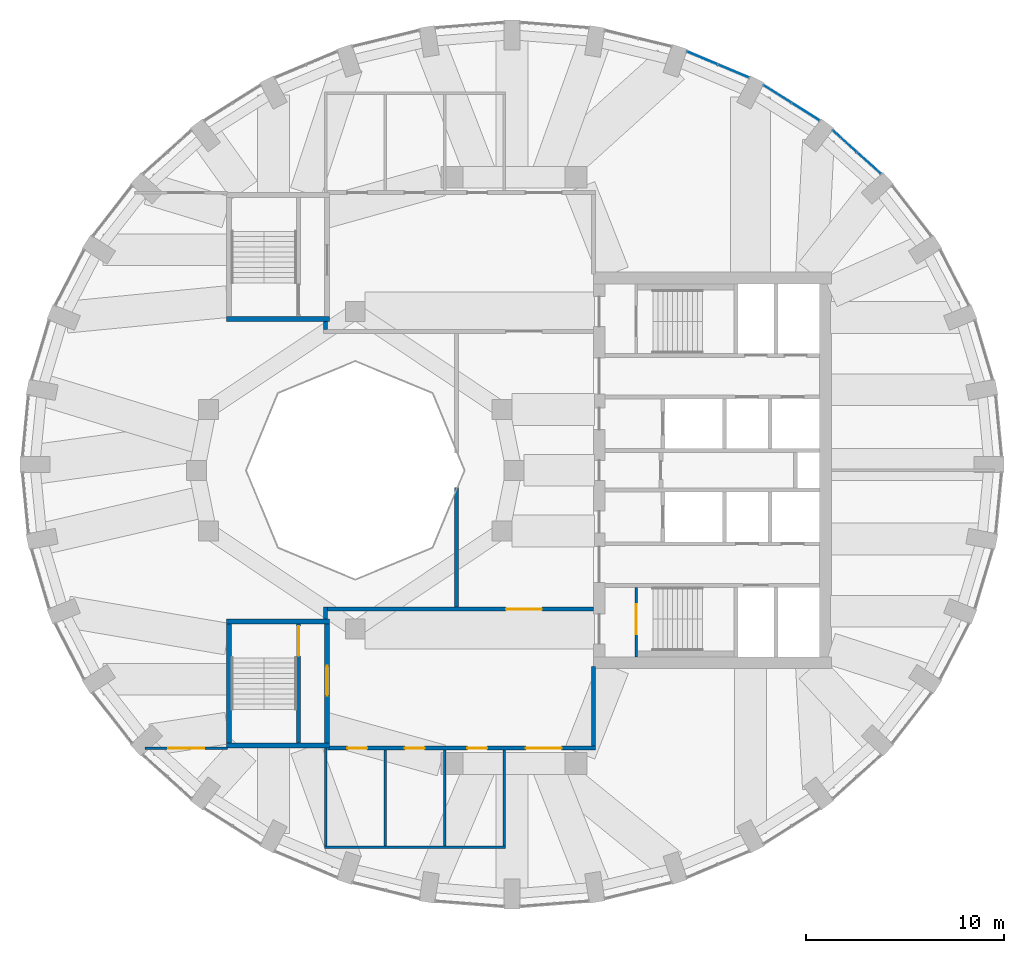
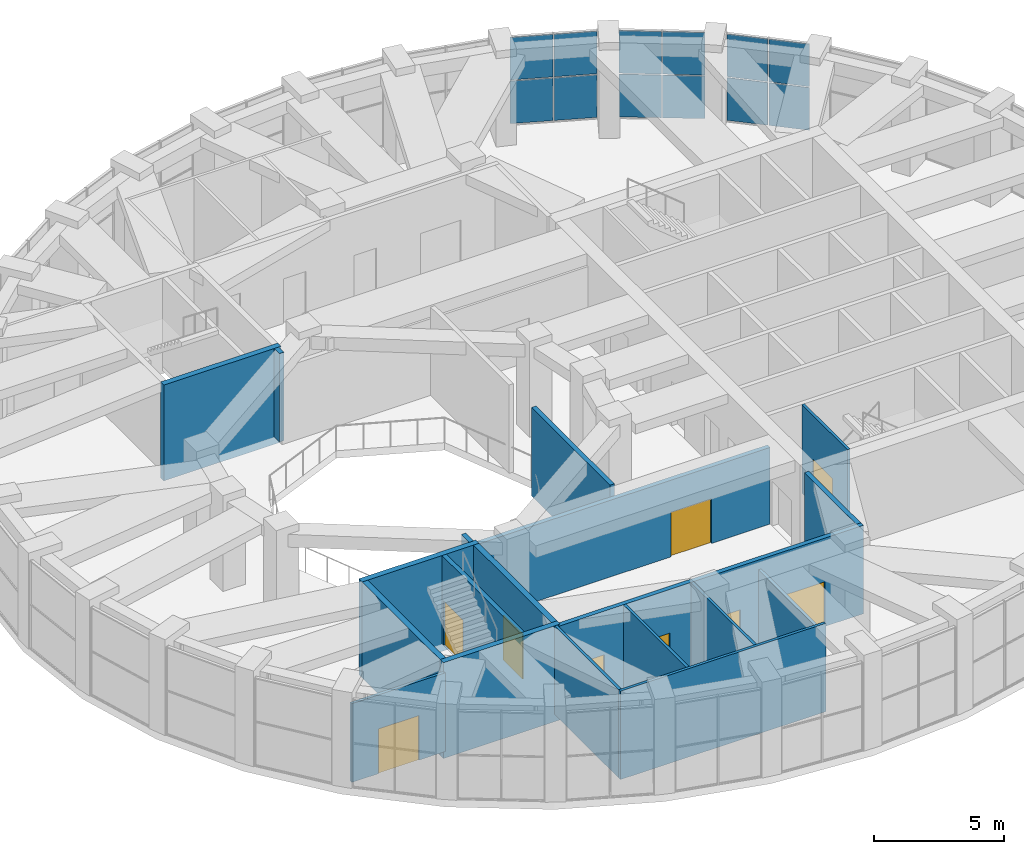
# One storey, part 13 of 17: 19 walls, 12 plates, 9 doors, 9 openings, 3 elements without a shape of their own.
"""IFC4 building model written with IfcOpenShell, lengths in metres."""

from ifc_helpers import new_model, si_unit, direction, frame, frame_2d, origin, origin_2d, place, context, subcontext, project, spatial, rectangle, extrude, material, layer, layer_set, type_object, element, fill, aggregate, save


model = new_model("IFC4")

# Units and contexts
model_context = context("Model", 3, precision=1e-05, world=origin(), true_north=direction((0.0, 1.0)))
body_context = subcontext(model_context, "Body", "Model", "MODEL_VIEW")
ifc_project = project(units=[si_unit("LENGTHUNIT", "METRE"), si_unit("AREAUNIT", "SQUARE_METRE"), si_unit("VOLUMEUNIT", "CUBIC_METRE"), si_unit("PLANEANGLEUNIT", "RADIAN"), si_unit("MASSUNIT", "GRAM", prefix="KILO")], contexts=[model_context])

# Site, building, storey
site_placement = place(None, origin())
site = spatial("IfcSite", under=ifc_project, at=site_placement, CompositionType="ELEMENT")
building_placement = place(site_placement, origin())
building = spatial("IfcBuilding", under=site, at=building_placement, Name="Taillehof Tower", CompositionType="ELEMENT")
storey_placement = place(building_placement, frame((0.0, 0.0, 259.699951171875)))
storey = spatial("IfcBuildingStorey", under=building, at=storey_placement, Name="L74", CompositionType="ELEMENT", Elevation=259.699951171875)

# Curtain wall, plates
ifc_material_1 = material(Name="Aluminium curtain wall with Clear low-emissivity double glazing", Category="aluminium")
curtain_wall_type = type_object("IfcCurtainWallType", Name="Club lounge curtain wall", PredefinedType="USERDEFINED", material=ifc_material_1)
curtain_wall_1_placement = place(storey_placement, origin())
curtain_wall_1 = element("IfcCurtainWall", 1, at=curtain_wall_1_placement, inside=storey, type_object=curtain_wall_type, Name="Club lounge L74 bay 5", ObjectType="WINDOW WALL", PredefinedType="USERDEFINED")
ifc_material_2 = material(Name="Clear low-emissivity double glazing", Category="glass")
ifc_layer_1 = layer(ifc_material_2, 0.028076171875)
ifc_layer_set_1 = layer_set([ifc_layer_1], Name="Club lounge glass panel 28")
plate_type = type_object("IfcPlateType", Name="Club lounge glass panel 28", PredefinedType="CURTAIN_PANEL", material=ifc_layer_set_1)
plate_1_placement = place(storey_placement, frame((17.893310546875, 15.48779296875, 0.050048828125), z_axis=(0.0, 0.0, 1.0), x_axis=(-0.74316593792, 0.669107157872, 0.0)))
plate_1 = element("IfcPlate", 2, at=plate_1_placement, type_object=plate_type, Name="CT4E05 panel 1.1", PredefinedType="CURTAIN_PANEL", context=body_context, shape_type="SweptSolid", body=[
    extrude(rectangle(XDim=1.594970703125, YDim=0.028076171875, at=origin_2d()), origin(), (0.0, 0.0, 1.0), 2.0),
])
plate_2_placement = place(storey_placement, frame((17.893310546875, 15.48779296875, 2.10009765625), z_axis=(0.0, 0.0, 1.0), x_axis=(-0.74316593792, 0.669107157872, 0.0)))
plate_2 = element("IfcPlate", 3, at=plate_2_placement, type_object=plate_type, Name="CT4E05 panel 1.2", PredefinedType="CURTAIN_PANEL", context=body_context, shape_type="SweptSolid", body=[
    extrude(rectangle(XDim=1.594970703125, YDim=0.028076171875, at=origin_2d()), origin(), (0.0, 0.0, 1.0), 2.0),
])
plate_3_placement = place(storey_placement, frame((16.6708984375, 16.58837890625, 0.050048828125), z_axis=(0.0, 0.0, 1.0), x_axis=(-0.74316593792, 0.669107157872, 0.0)))
plate_3 = element("IfcPlate", 4, at=plate_3_placement, type_object=plate_type, Name="CT4E05 panel 2.1", PredefinedType="CURTAIN_PANEL", context=body_context, shape_type="SweptSolid", body=[
    extrude(rectangle(XDim=1.594970703125, YDim=0.028076171875, at=origin_2d()), origin(), (0.0, 0.0, 1.0), 2.0),
])
plate_4_placement = place(storey_placement, frame((16.6708984375, 16.58837890625, 2.10009765625), z_axis=(0.0, 0.0, 1.0), x_axis=(-0.74316593792, 0.669107157872, 0.0)))
plate_4 = element("IfcPlate", 5, at=plate_4_placement, type_object=plate_type, Name="CT4E05 panel 2.2", PredefinedType="CURTAIN_PANEL", context=body_context, shape_type="SweptSolid", body=[
    extrude(rectangle(XDim=1.594970703125, YDim=0.028076171875, at=origin_2d()), origin(), (0.0, 0.0, 1.0), 2.0),
])
aggregate(curtain_wall_1, [plate_1, plate_2, plate_3, plate_4])

curtain_wall_2_placement = place(storey_placement, origin())
curtain_wall_2 = element("IfcCurtainWall", 6, at=curtain_wall_2_placement, inside=storey, type_object=curtain_wall_type, Name="Club lounge L74 bay 6", ObjectType="WINDOW WALL", PredefinedType="USERDEFINED")
plate_5_placement = place(storey_placement, frame((14.70361328125, 18.074951171875, 0.050048828125), z_axis=(0.0, 0.0, 1.0), x_axis=(-0.845929695916, 0.533294430468, 0.0)))
plate_5 = element("IfcPlate", 7, at=plate_5_placement, type_object=plate_type, Name="CT4E06 panel 1.1", PredefinedType="CURTAIN_PANEL", context=body_context, shape_type="SweptSolid", body=[
    extrude(rectangle(XDim=1.628662109375, YDim=0.028076171875, at=origin_2d()), origin(), (0.0, 0.0, 1.0), 2.0),
])
plate_6_placement = place(storey_placement, frame((14.70361328125, 18.074951171875, 2.10009765625), z_axis=(0.0, 0.0, 1.0), x_axis=(-0.845929695916, 0.533294430468, 0.0)))
plate_6 = element("IfcPlate", 8, at=plate_6_placement, type_object=plate_type, Name="CT4E06 panel 1.2", PredefinedType="CURTAIN_PANEL", context=body_context, shape_type="SweptSolid", body=[
    extrude(rectangle(XDim=1.628662109375, YDim=0.028076171875, at=origin_2d()), origin(), (0.0, 0.0, 1.0), 2.0),
])
plate_7_placement = place(storey_placement, frame((13.28369140625, 18.97021484375, 0.050048828125), z_axis=(0.0, 0.0, 1.0), x_axis=(-0.845929695916, 0.533294430468, 0.0)))
plate_7 = element("IfcPlate", 9, at=plate_7_placement, type_object=plate_type, Name="CT4E06 panel 2.1", PredefinedType="CURTAIN_PANEL", context=body_context, shape_type="SweptSolid", body=[
    extrude(rectangle(XDim=1.628662109375, YDim=0.028076171875, at=origin_2d()), origin(), (0.0, 0.0, 1.0), 2.0),
])
plate_8_placement = place(storey_placement, frame((13.28369140625, 18.97021484375, 2.10009765625), z_axis=(0.0, 0.0, 1.0), x_axis=(-0.845929695916, 0.533294430468, 0.0)))
plate_8 = element("IfcPlate", 10, at=plate_8_placement, type_object=plate_type, Name="CT4E06 panel 2.2", PredefinedType="CURTAIN_PANEL", context=body_context, shape_type="SweptSolid", body=[
    extrude(rectangle(XDim=1.628662109375, YDim=0.028076171875, at=origin_2d()), origin(), (0.0, 0.0, 1.0), 2.0),
])
aggregate(curtain_wall_2, [plate_5, plate_6, plate_7, plate_8])

curtain_wall_3_placement = place(storey_placement, origin())
curtain_wall_3 = element("IfcCurtainWall", 11, at=curtain_wall_3_placement, inside=storey, type_object=curtain_wall_type, Name="Club lounge L74 bay 7", ObjectType="WINDOW WALL", PredefinedType="USERDEFINED")
plate_9_placement = place(storey_placement, frame((11.068115234375, 20.122314453125, 0.050048828125), z_axis=(0.0, 0.0, 1.0), x_axis=(-0.922037438233, 0.387100713636, 0.0)))
plate_9 = element("IfcPlate", 12, at=plate_9_placement, type_object=plate_type, Name="CT4E07 panel 1.1", PredefinedType="CURTAIN_PANEL", context=body_context, shape_type="SweptSolid", body=[
    extrude(rectangle(XDim=1.65771484375, YDim=0.028076171875, at=origin_2d()), origin(), (0.0, 0.0, 1.0), 2.0),
])
plate_10_placement = place(storey_placement, frame((11.068115234375, 20.122314453125, 2.10009765625), z_axis=(0.0, 0.0, 1.0), x_axis=(-0.922037438233, 0.387100713636, 0.0)))
plate_10 = element("IfcPlate", 13, at=plate_10_placement, type_object=plate_type, Name="CT4E07 panel 1.2", PredefinedType="CURTAIN_PANEL", context=body_context, shape_type="SweptSolid", body=[
    extrude(rectangle(XDim=1.65771484375, YDim=0.028076171875, at=origin_2d()), origin(), (0.0, 0.0, 1.0), 2.0),
])
plate_11_placement = place(storey_placement, frame((9.493408203125, 20.783203125, 0.050048828125), z_axis=(0.0, 0.0, 1.0), x_axis=(-0.922037438233, 0.387100713636, 0.0)))
plate_11 = element("IfcPlate", 14, at=plate_11_placement, type_object=plate_type, Name="CT4E07 panel 2.1", PredefinedType="CURTAIN_PANEL", context=body_context, shape_type="SweptSolid", body=[
    extrude(rectangle(XDim=1.65771484375, YDim=0.028076171875, at=origin_2d()), origin(), (0.0, 0.0, 1.0), 2.0),
])
plate_12_placement = place(storey_placement, frame((9.493408203125, 20.783203125, 2.10009765625), z_axis=(0.0, 0.0, 1.0), x_axis=(-0.922037438233, 0.387100713636, 0.0)))
plate_12 = element("IfcPlate", 15, at=plate_12_placement, type_object=plate_type, Name="CT4E07 panel 2.2", PredefinedType="CURTAIN_PANEL", context=body_context, shape_type="SweptSolid", body=[
    extrude(rectangle(XDim=1.65771484375, YDim=0.028076171875, at=origin_2d()), origin(), (0.0, 0.0, 1.0), 2.0),
])
aggregate(curtain_wall_3, [plate_9, plate_10, plate_11, plate_12])

# Wall, openings, doors
ifc_material_3 = material(Name="Calcium silicate blockwork", Category="masonry")
ifc_layer_2 = layer(ifc_material_3, 0.199951171875)
ifc_layer_set_2 = layer_set([ifc_layer_2], Name="Compartment wall EI 60 200 mm")
wall_type_1 = type_object("IfcWallType", Name="Compartment wall EI 60 200 mm", PredefinedType="PARTITIONING", material=ifc_layer_set_2)
wall_1_placement = place(storey_placement, frame((-9.39990234375, -14.0, 0.0), z_axis=(0.0, 0.0, 1.0), x_axis=(1.0, 0.0, 0.0)))
wall_1 = element("IfcWall", 16, at=wall_1_placement, inside=storey, type_object=wall_type_1, Name="Wall L74-04 / L74-08", PredefinedType="PARTITIONING", context=body_context, shape_type="SweptSolid", body=[
    extrude(rectangle(XDim=13.5, YDim=0.199951171875, at=frame_2d((6.75, 0.0))), origin(), (0.0, 0.0, 1.0), 4.150146484375),
])
opening_1_placement = place(wall_1_placement, frame((10.0, 0.0, 0.0)))
opening_1 = element("IfcOpeningElement", 17, at=opening_1_placement, cuts=wall_1, Name="Opening D7445", PredefinedType="OPENING", context=body_context, shape_type="SweptSolid", body=[
    extrude(rectangle(XDim=1.800048828125, YDim=2.10009765625, at=frame_2d((0.89990234375, 1.050048828125))), frame((0.0, 0.10986328125, 0.0), z_axis=(0.0, -1.0, 0.0), x_axis=(1.0, 0.0, 0.0)), (0.0, 0.0, 1.0), 0.219970703125),
])
opening_2_placement = place(wall_1_placement, frame((1.0, 0.0, 0.0)))
opening_2 = element("IfcOpeningElement", 18, at=opening_2_placement, cuts=wall_1, Name="Opening D7442", PredefinedType="OPENING", context=body_context, shape_type="SweptSolid", body=[
    extrude(rectangle(XDim=1.0, YDim=2.10009765625, at=frame_2d((0.5, 1.050048828125))), frame((0.0, 0.10986328125, 0.0), z_axis=(0.0, -1.0, 0.0), x_axis=(1.0, 0.0, 0.0)), (0.0, 0.0, 1.0), 0.219970703125),
])
opening_3_placement = place(wall_1_placement, frame((3.89990234375, 0.0, 0.0)))
opening_3 = element("IfcOpeningElement", 19, at=opening_3_placement, cuts=wall_1, Name="Opening D7443", PredefinedType="OPENING", context=body_context, shape_type="SweptSolid", body=[
    extrude(rectangle(XDim=1.0, YDim=2.10009765625, at=frame_2d((0.5, 1.050048828125))), frame((0.0, 0.10986328125, 0.0), z_axis=(0.0, -1.0, 0.0), x_axis=(1.0, 0.0, 0.0)), (0.0, 0.0, 1.0), 0.219970703125),
])
opening_4_placement = place(wall_1_placement, frame((7.050048828125, 0.0, 0.0)))
opening_4 = element("IfcOpeningElement", 20, at=opening_4_placement, cuts=wall_1, Name="Opening D7444", PredefinedType="OPENING", context=body_context, shape_type="SweptSolid", body=[
    extrude(rectangle(XDim=1.0, YDim=2.10009765625, at=frame_2d((0.5, 1.050048828125))), frame((0.0, 0.10986328125, 0.0), z_axis=(0.0, -1.0, 0.0), x_axis=(1.0, 0.0, 0.0)), (0.0, 0.0, 1.0), 0.219970703125),
])
ifc_material_4 = material(Name="Hollow metal door set")
door_type_1 = type_object("IfcDoorType", Name="Double door 1800 x 2100 FD60S", OperationType="DOUBLE_DOOR_SINGLE_SWING", PredefinedType="DOOR", material=ifc_material_4)
door_1_placement = place(opening_1_placement, origin())
door_1 = element("IfcDoor", 21, at=door_1_placement, inside=storey, type_object=door_type_1, Name="Door D7445", OperationType="DOUBLE_DOOR_SINGLE_SWING", OverallHeight=2.10009765625, OverallWidth=1.800048828125, PredefinedType="DOOR", context=body_context, shape_type="SweptSolid", body=[
    extrude(rectangle(XDim=1.800048828125, YDim=2.10009765625, at=frame_2d((0.89990234375, 1.050048828125))), frame((0.0, 0.02490234375, 0.0), z_axis=(0.0, -1.0, 0.0), x_axis=(1.0, 0.0, 0.0)), (0.0, 0.0, 1.0), 0.050048828125),
])
fill(opening_1, door_1)
ifc_material_5 = material(Name="Hollow metal door set")
door_type_2 = type_object("IfcDoorType", Name="Single door 1000 x 2100 FD60S", OperationType="SINGLE_SWING_LEFT", PredefinedType="DOOR", material=ifc_material_5)
door_2_placement = place(opening_2_placement, origin())
door_2 = element("IfcDoor", 22, at=door_2_placement, inside=storey, type_object=door_type_2, Name="Door D7442", OperationType="SINGLE_SWING_LEFT", OverallHeight=2.10009765625, OverallWidth=1.0, PredefinedType="DOOR", context=body_context, shape_type="SweptSolid", body=[
    extrude(rectangle(XDim=1.0, YDim=2.10009765625, at=frame_2d((0.5, 1.050048828125))), frame((0.0, 0.02490234375, 0.0), z_axis=(0.0, -1.0, 0.0), x_axis=(1.0, 0.0, 0.0)), (0.0, 0.0, 1.0), 0.050048828125),
])
fill(opening_2, door_2)
door_3_placement = place(opening_3_placement, origin())
door_3 = element("IfcDoor", 23, at=door_3_placement, inside=storey, type_object=door_type_2, Name="Door D7443", OperationType="SINGLE_SWING_LEFT", OverallHeight=2.10009765625, OverallWidth=1.0, PredefinedType="DOOR", context=body_context, shape_type="SweptSolid", body=[
    extrude(rectangle(XDim=1.0, YDim=2.10009765625, at=frame_2d((0.5, 1.050048828125))), frame((0.0, 0.02490234375, 0.0), z_axis=(0.0, -1.0, 0.0), x_axis=(1.0, 0.0, 0.0)), (0.0, 0.0, 1.0), 0.050048828125),
])
fill(opening_3, door_3)
door_4_placement = place(opening_4_placement, origin())
door_4 = element("IfcDoor", 24, at=door_4_placement, inside=storey, type_object=door_type_2, Name="Door D7444", OperationType="SINGLE_SWING_LEFT", OverallHeight=2.10009765625, OverallWidth=1.0, PredefinedType="DOOR", context=body_context, shape_type="SweptSolid", body=[
    extrude(rectangle(XDim=1.0, YDim=2.10009765625, at=frame_2d((0.5, 1.050048828125))), frame((0.0, 0.02490234375, 0.0), z_axis=(0.0, -1.0, 0.0), x_axis=(1.0, 0.0, 0.0)), (0.0, 0.0, 1.0), 0.050048828125),
])
fill(opening_4, door_4)

# Wall, opening, door
wall_2_placement = place(storey_placement, frame((-9.39990234375, -7.0, 0.0), z_axis=(0.0, 0.0, 1.0), x_axis=(1.0, 0.0, 0.0)))
wall_2 = element("IfcWall", 25, at=wall_2_placement, inside=storey, type_object=wall_type_1, Name="Wall L74-08 / L74-12", PredefinedType="PARTITIONING", context=body_context, shape_type="SweptSolid", body=[
    extrude(rectangle(XDim=13.40185546875, YDim=0.199951171875, at=frame_2d((6.700927734375, 0.0))), origin(), (0.0, 0.0, 1.0), 3.60009765625),
])
opening_5_placement = place(wall_2_placement, frame((9.0009765625, 0.0, 0.0)))
opening_5 = element("IfcOpeningElement", 26, at=opening_5_placement, cuts=wall_2, Name="Opening D7446", PredefinedType="OPENING", context=body_context, shape_type="SweptSolid", body=[
    extrude(rectangle(XDim=1.800048828125, YDim=2.10009765625, at=frame_2d((0.89990234375, 1.050048828125))), frame((0.0, 0.10986328125, 0.0), z_axis=(0.0, -1.0, 0.0), x_axis=(1.0, 0.0, 0.0)), (0.0, 0.0, 1.0), 0.219970703125),
])
door_5_placement = place(opening_5_placement, origin())
door_5 = element("IfcDoor", 27, at=door_5_placement, inside=storey, type_object=door_type_1, Name="Door D7446", OperationType="DOUBLE_DOOR_SINGLE_SWING", OverallHeight=2.10009765625, OverallWidth=1.800048828125, PredefinedType="DOOR", context=body_context, shape_type="SweptSolid", body=[
    extrude(rectangle(XDim=1.800048828125, YDim=2.10009765625, at=frame_2d((0.89990234375, 1.050048828125))), frame((0.0, 0.02490234375, 0.0), z_axis=(0.0, -1.0, 0.0), x_axis=(1.0, 0.0, 0.0)), (0.0, 0.0, 1.0), 0.050048828125),
])
fill(opening_5, door_5)

# Walls
wall_3_placement = place(storey_placement, frame((-9.5, -7.501953125, 0.0), z_axis=(0.0, 0.0, 1.0), x_axis=(0.0, 1.0, 0.0)))
element("IfcWall", 28, at=wall_3_placement, inside=storey, type_object=wall_type_1, Name="Wall L74-08 / L74-12", PredefinedType="PARTITIONING", context=body_context, shape_type="SweptSolid", body=[
    extrude(rectangle(XDim=0.60205078125, YDim=0.199951171875, at=frame_2d((0.301025390625, 0.0))), origin(), (0.0, 0.0, 1.0), 4.150146484375),
])
wall_4_placement = place(storey_placement, frame((-9.5, 7.10009765625, 0.0), z_axis=(0.0, 0.0, 1.0), x_axis=(0.0, 1.0, 0.0)))
element("IfcWall", 29, at=wall_4_placement, inside=storey, type_object=wall_type_1, Name="Wall L74-07 / L74-12", PredefinedType="PARTITIONING", context=body_context, shape_type="SweptSolid", body=[
    extrude(rectangle(XDim=0.40185546875, YDim=0.199951171875, at=frame_2d((0.200927734375, 0.0))), origin(), (0.0, 0.0, 1.0), 4.150146484375),
])
wall_5_placement = place(storey_placement, frame((-2.89990234375, -6.89990234375, 0.0), z_axis=(0.0, 0.0, 1.0), x_axis=(0.0, 1.0, 0.0)))
element("IfcWall", 30, at=wall_5_placement, inside=storey, type_object=wall_type_1, Name="Wall L74-09 / L74-12", PredefinedType="PARTITIONING", context=body_context, shape_type="SweptSolid", body=[
    extrude(rectangle(XDim=6.0341796875, YDim=0.199951171875, at=frame_2d((3.01708984375, 0.0))), origin(), (0.0, 0.0, 1.0), 4.150146484375),
])
wall_6_placement = place(storey_placement, frame((4.0, -13.89990234375, 0.0), z_axis=(0.0, 0.0, 1.0), x_axis=(0.0, 1.0, 0.0)))
element("IfcWall", 31, at=wall_6_placement, inside=storey, type_object=wall_type_1, Name="Wall L74-08 / L74-11", PredefinedType="PARTITIONING", context=body_context, shape_type="SweptSolid", body=[
    extrude(rectangle(XDim=4.0, YDim=0.199951171875, at=frame_2d((2.0, 0.0))), origin(), (0.0, 0.0, 1.0), 4.150146484375),
])
ifc_material_6 = material(Name="Gypsum board partition on steel studs", Category="steel")
ifc_layer_3 = layer(ifc_material_6, 0.125)
ifc_layer_set_3 = layer_set([ifc_layer_3], Name="Partition wall EI 30 125 mm")
wall_type_2 = type_object("IfcWallType", Name="Partition wall EI 30 125 mm", PredefinedType="PARTITIONING", material=ifc_layer_set_3)
wall_7_placement = place(storey_placement, frame((-9.5625, -19.0, 0.0), z_axis=(0.0, 0.0, 1.0), x_axis=(1.0, 0.0, 0.0)))
element("IfcWall", 32, at=wall_7_placement, inside=storey, type_object=wall_type_2, Name="Wall L74-04 / L74-11", PredefinedType="PARTITIONING", context=body_context, shape_type="SweptSolid", body=[
    extrude(rectangle(XDim=9.125, YDim=0.125, at=frame_2d((4.5625, 0.0))), origin(), (0.0, 0.0, 1.0), 4.150146484375),
])

# Wall, opening, door
wall_8_placement = place(storey_placement, frame((-18.597900390625, -14.0, 0.0), z_axis=(0.0, 0.0, 1.0), x_axis=(1.0, 0.0, 0.0)))
wall_8 = element("IfcWall", 33, at=wall_8_placement, inside=storey, type_object=wall_type_2, Name="Wall L74-11 / L74-12", PredefinedType="PARTITIONING", context=body_context, shape_type="SweptSolid", body=[
    extrude(rectangle(XDim=4.160400390625, YDim=0.125, at=frame_2d((2.080078125, 0.0))), origin(), (0.0, 0.0, 1.0), 3.699951171875),
])
opening_6_placement = place(wall_8_placement, frame((1.179931640625, 0.0, 0.0)))
opening_6 = element("IfcOpeningElement", 34, at=opening_6_placement, cuts=wall_8, Name="Opening D7441", PredefinedType="OPENING", context=body_context, shape_type="SweptSolid", body=[
    extrude(rectangle(XDim=1.800048828125, YDim=2.10009765625, at=frame_2d((0.89990234375, 1.050048828125))), frame((0.0, 0.072509765625, 0.0), z_axis=(0.0, -1.0, 0.0), x_axis=(1.0, 0.0, 0.0)), (0.0, 0.0, 1.0), 0.14501953125),
])
ifc_material_7 = material(Name="Hollow metal door set")
door_type_3 = type_object("IfcDoorType", Name="Double door 1800 x 2100 FD30S", OperationType="DOUBLE_DOOR_SINGLE_SWING", PredefinedType="DOOR", material=ifc_material_7)
door_6_placement = place(opening_6_placement, origin())
door_6 = element("IfcDoor", 35, at=door_6_placement, inside=storey, type_object=door_type_3, Name="Door D7441", OperationType="DOUBLE_DOOR_SINGLE_SWING", OverallHeight=2.10009765625, OverallWidth=1.800048828125, PredefinedType="DOOR", context=body_context, shape_type="SweptSolid", body=[
    extrude(rectangle(XDim=1.800048828125, YDim=2.10009765625, at=frame_2d((0.89990234375, 1.050048828125))), frame((0.0, 0.02490234375, 0.0), z_axis=(0.0, -1.0, 0.0), x_axis=(1.0, 0.0, 0.0)), (0.0, 0.0, 1.0), 0.050048828125),
])
fill(opening_6, door_6)

# Walls
wall_9_placement = place(storey_placement, frame((-9.5, -18.9375, 0.0), z_axis=(0.0, 0.0, 1.0), x_axis=(0.0, 1.0, 0.0)))
element("IfcWall", 36, at=wall_9_placement, inside=storey, type_object=wall_type_2, Name="Wall L74-04 / L74-11", PredefinedType="PARTITIONING", context=body_context, shape_type="SweptSolid", body=[
    extrude(rectangle(XDim=4.939453125, YDim=0.125, at=frame_2d((2.4697265625, 0.0))), origin(), (0.0, 0.0, 1.0), 4.150146484375),
])
for number, where, z_axis, x_axis, name in (
    (37, (-6.5, -18.9375, 0.0), (0.0, 0.0, 1.0), (0.0, 1.0, 0.0), "Wall L74-04 / L74-05"),
    (38, (-3.5, -18.9375, 0.0), (0.0, 0.0, 1.0), (0.0, 1.0, 0.0), "Wall L74-05 / L74-06"),
):
    element("IfcWall", number, at=place(storey_placement, frame(where, z_axis=z_axis, x_axis=x_axis)), inside=storey, type_object=wall_type_2, Name=name, PredefinedType="PARTITIONING", context=body_context, shape_type="SweptSolid", body=[
        extrude(rectangle(XDim=4.83740234375, YDim=0.125, at=frame_2d((2.418701171875, 0.0))), origin(), (0.0, 0.0, 1.0), 4.150146484375),
    ])
wall_10_placement = place(storey_placement, frame((-0.5, -18.9375, 0.0), z_axis=(0.0, 0.0, 1.0), x_axis=(0.0, 1.0, 0.0)))
element("IfcWall", 39, at=wall_10_placement, inside=storey, type_object=wall_type_2, Name="Wall L74-06 / L74-11", PredefinedType="PARTITIONING", context=body_context, shape_type="SweptSolid", body=[
    extrude(rectangle(XDim=4.83740234375, YDim=0.125, at=frame_2d((2.418701171875, 0.0))), origin(), (0.0, 0.0, 1.0), 3.699951171875),
])

# Wall, opening, door
ifc_material_8 = material(Name="Concrete C50/60", Category="concrete")
ifc_layer_4 = layer(ifc_material_8, 0.199951171875)
ifc_layer_set_4 = layer_set([ifc_layer_4], Name="Shaft wall C50/60 200")
wall_type_3 = type_object("IfcWallType", Name="Shaft wall C50/60 200", PredefinedType="SHEAR", material=ifc_layer_set_4)
wall_11_placement = place(storey_placement, frame((-10.85009765625, -13.75, 0.0), z_axis=(0.0, 0.0, 1.0), x_axis=(0.0, 1.0, 0.0)))
wall_11 = element("IfcWall", 40, at=wall_11_placement, inside=storey, type_object=wall_type_3, Name="Shaft wall SW", PredefinedType="SHEAR", context=body_context, shape_type="SweptSolid", body=[
    extrude(rectangle(XDim=6.0, YDim=0.199951171875, at=frame_2d((3.0, 0.0))), origin(), (0.0, 0.0, 1.0), 4.150146484375),
])
opening_7_placement = place(wall_11_placement, frame((4.39990234375, 0.0, 0.0)))
opening_7 = element("IfcOpeningElement", 41, at=opening_7_placement, cuts=wall_11, Name="Opening D7411", PredefinedType="OPENING", context=body_context, shape_type="SweptSolid", body=[
    extrude(rectangle(XDim=1.5, YDim=2.10009765625, at=frame_2d((0.75, 1.050048828125))), frame((0.0, 0.10986328125, 0.0), z_axis=(0.0, -1.0, 0.0), x_axis=(1.0, 0.0, 0.0)), (0.0, 0.0, 1.0), 0.219970703125),
])
ifc_material_9 = material(Name="Steel-faced fire door", Category="steel")
door_type_4 = type_object("IfcDoorType", Name="Stair door 1500x2100", OperationType="DOUBLE_DOOR_SINGLE_SWING", PredefinedType="DOOR", material=ifc_material_9)
door_7_placement = place(opening_7_placement, origin())
door_7 = element("IfcDoor", 42, at=door_7_placement, inside=storey, type_object=door_type_4, Name="Stair lobby door S4", OperationType="DOUBLE_DOOR_SINGLE_SWING", OverallHeight=2.10009765625, OverallWidth=1.5, PredefinedType="DOOR", context=body_context, shape_type="SweptSolid", body=[
    extrude(rectangle(XDim=1.5, YDim=2.10009765625, at=frame_2d((0.75, 1.050048828125))), frame((0.0, 0.02490234375, 0.0), z_axis=(0.0, -1.0, 0.0), x_axis=(1.0, 0.0, 0.0)), (0.0, 0.0, 1.0), 0.050048828125),
])
fill(opening_7, door_7)

ifc_material_10 = material(Name="Concrete C50/60", Category="concrete")
ifc_layer_5 = layer(ifc_material_10, 0.1201171875)
ifc_layer_set_5 = layer_set([ifc_layer_5], Name="Stair lobby wall C50/60 120")
wall_type_4 = type_object("IfcWallType", Name="Stair lobby wall C50/60 120", PredefinedType="SHEAR", material=ifc_layer_set_5)
wall_12_placement = place(storey_placement, frame((6.159912109375, -9.39990234375, 0.0), z_axis=(0.0, 0.0, 1.0), x_axis=(0.0, 1.0, 0.0)))
wall_12 = element("IfcWall", 43, at=wall_12_placement, inside=storey, type_object=wall_type_4, Name="Compartment wall SW", PredefinedType="SHEAR", context=body_context, shape_type="SweptSolid", body=[
    extrude(rectangle(XDim=3.5, YDim=0.1201171875, at=frame_2d((1.75, 0.0))), origin(), (0.0, 0.0, 1.0), 4.150146484375),
])
opening_8_placement = place(wall_12_placement, frame((1.14990234375, 0.0, 0.0)))
opening_8 = element("IfcOpeningElement", 44, at=opening_8_placement, cuts=wall_12, Name="Opening D7409", PredefinedType="OPENING", context=body_context, shape_type="SweptSolid", body=[
    extrude(rectangle(XDim=1.5, YDim=2.10009765625, at=frame_2d((0.75, 1.050048828125))), frame((0.0, 0.070068359375, 0.0), z_axis=(0.0, -1.0, 0.0), x_axis=(1.0, 0.0, 0.0)), (0.0, 0.0, 1.0), 0.14013671875),
])
door_8_placement = place(opening_8_placement, origin())
door_8 = element("IfcDoor", 45, at=door_8_placement, inside=storey, type_object=door_type_4, Name="Stair lobby door S2", OperationType="DOUBLE_DOOR_SINGLE_SWING", OverallHeight=2.10009765625, OverallWidth=1.5, PredefinedType="DOOR", context=body_context, shape_type="SweptSolid", body=[
    extrude(rectangle(XDim=1.5, YDim=2.10009765625, at=frame_2d((0.75, 1.050048828125))), frame((0.0, 0.02490234375, 0.0), z_axis=(0.0, -1.0, 0.0), x_axis=(1.0, 0.0, 0.0)), (0.0, 0.0, 1.0), 0.050048828125),
])
fill(opening_8, door_8)

# Walls
ifc_material_11 = material(Name="Concrete C50/60", Category="concrete")
ifc_layer_6 = layer(ifc_material_11, 0.25)
ifc_layer_set_6 = layer_set([ifc_layer_6], Name="Stair wall C50/60 250")
wall_type_5 = type_object("IfcWallType", Name="Stair wall C50/60 250", PredefinedType="SHEAR", material=ifc_layer_set_6)
wall_13_placement = place(storey_placement, frame((-14.5, 7.625, -0.349853515625), z_axis=(0.0, 0.0, 1.0), x_axis=(1.0, 0.0, 0.0)))
element("IfcWall", 46, at=wall_13_placement, inside=storey, type_object=wall_type_5, Name="Stair wall SC", PredefinedType="SHEAR", context=body_context, shape_type="SweptSolid", body=[
    extrude(rectangle(XDim=5.199951171875, YDim=0.25, at=frame_2d((2.60009765625, 0.0))), origin(), (0.0, 0.0, 1.0), 4.5),
])
wall_14_placement = place(storey_placement, frame((-14.375, -13.75, -0.349853515625), z_axis=(0.0, 0.0, 1.0), x_axis=(0.0, 1.0, 0.0)))
element("IfcWall", 47, at=wall_14_placement, inside=storey, type_object=wall_type_5, Name="Stair wall SC", PredefinedType="SHEAR", context=body_context, shape_type="SweptSolid", body=[
    extrude(rectangle(XDim=6.0, YDim=0.25, at=frame_2d((3.0, 0.0))), origin(), (0.0, 0.0, 1.0), 4.5),
])

# Wall, opening, door
wall_15_placement = place(storey_placement, frame((-9.425048828125, -13.75, -0.349853515625), z_axis=(0.0, 0.0, 1.0), x_axis=(0.0, 1.0, 0.0)))
wall_15 = element("IfcWall", 48, at=wall_15_placement, inside=storey, type_object=wall_type_5, Name="Stair wall SC", PredefinedType="SHEAR", context=body_context, shape_type="SweptSolid", body=[
    extrude(rectangle(XDim=6.0, YDim=0.25, at=frame_2d((3.0, 0.0))), origin(), (0.0, 0.0, 1.0), 4.5),
])
opening_9_placement = place(wall_15_placement, frame((2.39990234375, 0.0, 0.35009765625)))
opening_9 = element("IfcOpeningElement", 49, at=opening_9_placement, cuts=wall_15, Name="Opening D7414", PredefinedType="OPENING", context=body_context, shape_type="SweptSolid", body=[
    extrude(rectangle(XDim=1.5, YDim=2.10009765625, at=frame_2d((0.75, 1.050048828125))), frame((0.0, 0.135009765625, 0.0), z_axis=(0.0, -1.0, 0.0), x_axis=(1.0, 0.0, 0.0)), (0.0, 0.0, 1.0), 0.27001953125),
])
door_9_placement = place(opening_9_placement, origin())
door_9 = element("IfcDoor", 50, at=door_9_placement, inside=storey, type_object=door_type_4, Name="Stair door S4", OperationType="DOUBLE_DOOR_SINGLE_SWING", OverallHeight=2.10009765625, OverallWidth=1.5, PredefinedType="DOOR", context=body_context, shape_type="SweptSolid", body=[
    extrude(rectangle(XDim=1.5, YDim=2.10009765625, at=frame_2d((0.75, 1.050048828125))), frame((0.0, 0.02490234375, 0.0), z_axis=(0.0, -1.0, 0.0), x_axis=(1.0, 0.0, 0.0)), (0.0, 0.0, 1.0), 0.050048828125),
])
fill(opening_9, door_9)

# Walls
for number, where, z_axis, x_axis, name in (
    (51, (-14.5, -7.625, -0.349853515625), (0.0, 0.0, 1.0), (1.0, 0.0, 0.0), "Stair wall SC"),
    (52, (-14.5, -13.875, -0.349853515625), (0.0, 0.0, 1.0), (1.0, 0.0, 0.0), "Stair wall SC"),
):
    element("IfcWall", number, at=place(storey_placement, frame(where, z_axis=z_axis, x_axis=x_axis)), inside=storey, type_object=wall_type_5, Name=name, PredefinedType="SHEAR", context=body_context, shape_type="SweptSolid", body=[
        extrude(rectangle(XDim=5.199951171875, YDim=0.25, at=frame_2d((2.60009765625, 0.0))), origin(), (0.0, 0.0, 1.0), 4.5),
    ])

save(model, "model.ifc")
